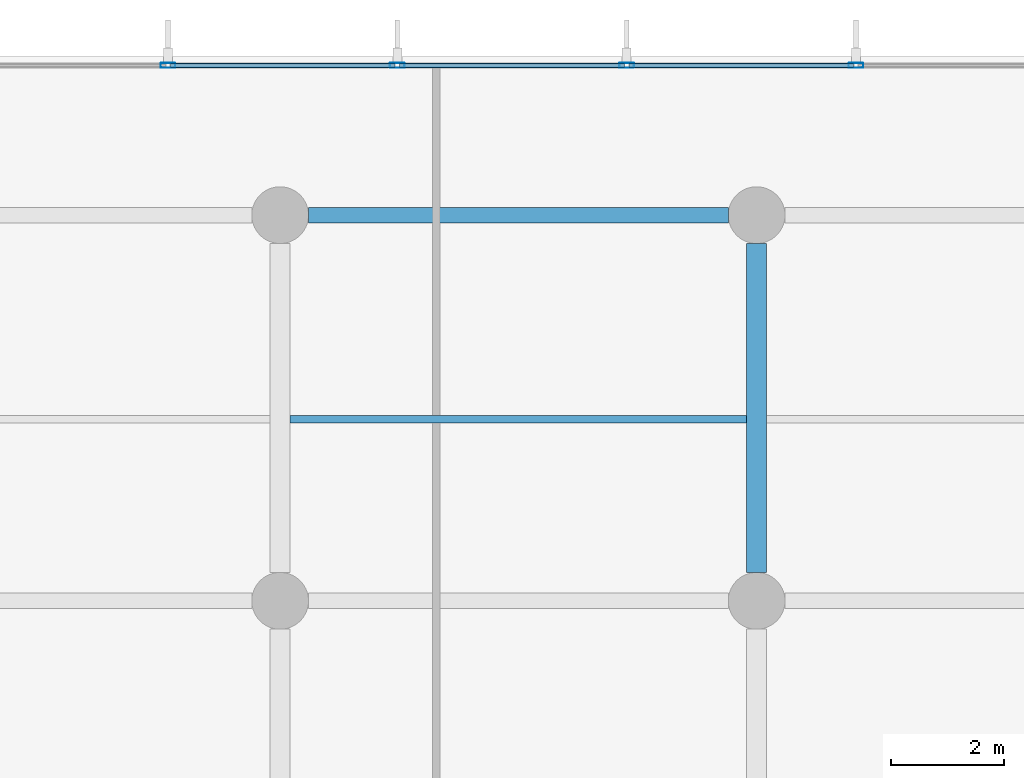
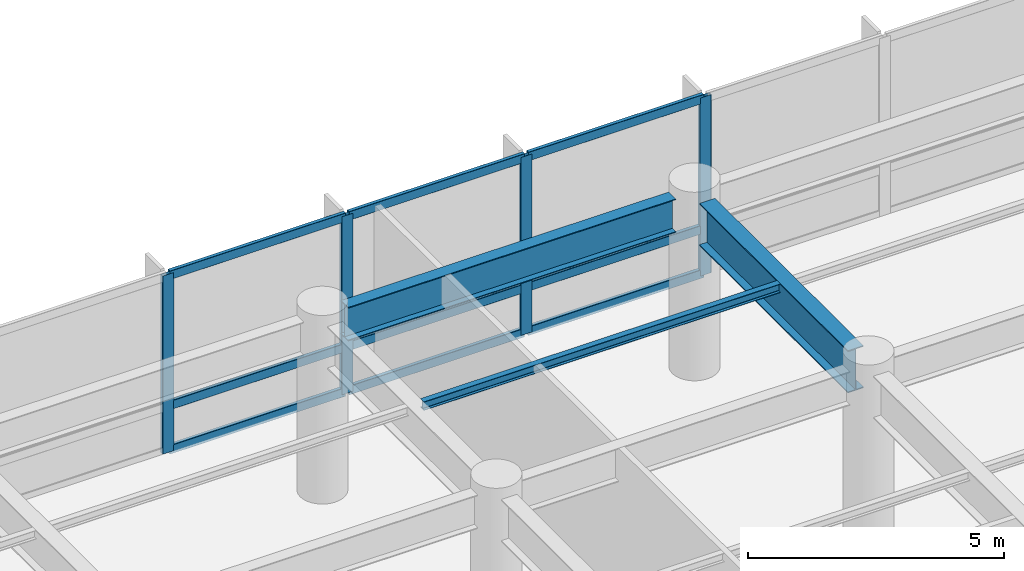
# One storey, part 11 of 26: 13 members, 3 beams, 1 element without a shape of its own.
"""IFC4 building model written with IfcOpenShell, lengths in metres."""

import ifcopenshell
import ifcopenshell.guid

model = None  # the IFC model being written
_history = None  # IfcOwnerHistory: only IFC2X3 demands one
_inside = {}  # id of a spatial element -> (the spatial element, [elements in it])
_under = {}  # id of a project, library or spatial element -> (it, [spatial elements below it])
_declared = {}  # id of a project -> (the project, [libraries it declares])
_typed = {}  # id of a type object -> (the type object, [elements of that type])
_made_of = {}  # id of a material, layer set ... -> (it, [elements and type objects made of it])


def new_model(schema):
    """Start an empty IFC model of exactly this schema.

    Asked for "IFC4X3", IfcOpenShell would pick the latest addendum, in which some entities
    have other attributes; the version numbers below select the first issue.
    IFC2X3 requires an IfcOwnerHistory on every rooted entity: one is made here for all.
    """
    global model, _history
    if schema == "IFC4X3":
        model = ifcopenshell.file(schema_version=(4, 3, 0, 0))
    else:
        model = ifcopenshell.file(schema=schema)
    _inside.clear()
    _under.clear()
    _declared.clear()
    _typed.clear()
    _made_of.clear()
    _history = None
    if model.schema == "IFC2X3":
        org = make("IfcOrganization", Name="unknown")
        user = make(
            "IfcPersonAndOrganization",
            ThePerson=make("IfcPerson", FamilyName="unknown"),
            TheOrganization=org,
        )
        app = make(
            "IfcApplication",
            ApplicationDeveloper=org,
            Version="unknown",
            ApplicationFullName="unknown",
            ApplicationIdentifier="unknown",
        )
        _history = make(
            "IfcOwnerHistory",
            OwningUser=user,
            OwningApplication=app,
            ChangeAction="ADDED",
            CreationDate=0,
        )
    return model


def make(cls, **values):
    """One entity of the class cls with the attributes given. An attribute that is None is left unset."""
    return model.create_entity(
        cls, **{name: value for name, value in values.items() if value is not None}
    )


def rooted(cls, **values):
    """An entity with a GlobalId (a new one), such as an element, a storey or a relation."""
    return make(cls, GlobalId=ifcopenshell.guid.new(), OwnerHistory=_history, **values)


def si_unit(unit_type, name, prefix=None):
    """IfcSIUnit, for example si_unit("LENGTHUNIT", "METRE", prefix="MILLI")."""
    return make("IfcSIUnit", UnitType=unit_type, Prefix=prefix, Name=name)


def assignment(units):
    """IfcUnitAssignment: the units of a project."""
    return None if units is None else make("IfcUnitAssignment", Units=units)


def point(xyz):
    """IfcCartesianPoint."""
    return None if xyz is None else make("IfcCartesianPoint", Coordinates=xyz)


def direction(xyz):
    """IfcDirection."""
    return None if xyz is None else make("IfcDirection", DirectionRatios=xyz)


def frame(location, z_axis=None, x_axis=None):
    """IfcAxis2Placement3D, a coordinate frame: its origin and axes. An axis left out is left unset."""
    return make(
        "IfcAxis2Placement3D",
        Location=point(location),
        Axis=direction(z_axis),
        RefDirection=direction(x_axis),
    )


def frame_2d(location, x_axis=None):
    """IfcAxis2Placement2D, a coordinate frame in the plane: its origin and x axis."""
    return make(
        "IfcAxis2Placement2D", Location=point(location), RefDirection=direction(x_axis)
    )


def origin():
    """The frame at (0, 0, 0) with its axes left unset."""
    return frame((0.0, 0.0, 0.0))


def origin_2d():
    """The frame at (0, 0) in the plane with its x axis left unset."""
    return frame_2d((0.0, 0.0))


def place(relative_to, where):
    """IfcLocalPlacement: puts the frame where relative to a parent placement (None: the world)."""
    return make(
        "IfcLocalPlacement", PlacementRelTo=relative_to, RelativePlacement=where
    )


def context(
    kind, dimensions, precision=None, world=None, true_north=None, identifier=None
):
    """IfcGeometricRepresentationContext, for example the 3D "Model" context."""
    return make(
        "IfcGeometricRepresentationContext",
        ContextIdentifier=identifier,
        ContextType=kind,
        CoordinateSpaceDimension=dimensions,
        Precision=precision,
        WorldCoordinateSystem=world,
        TrueNorth=true_north,
    )


def subcontext(parent, identifier, kind, view, scale=None):
    """IfcGeometricRepresentationSubContext, for example "Body" below "Model"."""
    return make(
        "IfcGeometricRepresentationSubContext",
        ContextIdentifier=identifier,
        ContextType=kind,
        ParentContext=parent,
        TargetScale=scale,
        TargetView=view,
    )


def project(units=None, contexts=None):
    """IfcProject with its units and contexts."""
    return rooted(
        "IfcProject",
        Name="project",
        RepresentationContexts=contexts,
        UnitsInContext=assignment(units),
    )


def spatial(cls, under=None, at=None, **own):
    """A site, building, storey or space (cls), placed at a placement, below another one or the project."""
    s = rooted(cls, ObjectPlacement=at, **own)
    if under is not None:
        _under.setdefault(under.id(), (under, []))[1].append(s)
    return s


def profile(cls, at=None, kind="AREA", **sizes):
    """A parametric profile (cls). Its sizes go by their IFC names, for example OverallWidth=200.0."""
    return make(cls, ProfileType=kind, Position=at, **sizes)


def hollow_rectangle(**sizes):
    """IfcRectangleHollowProfileDef."""
    return profile("IfcRectangleHollowProfileDef", **sizes)


def i_section(**sizes):
    """IfcIShapeProfileDef."""
    return profile("IfcIShapeProfileDef", **sizes)


def extrude(swept, where, along, depth):
    """IfcExtrudedAreaSolid: the profile swept, set in the frame where, extruded along a direction by depth."""
    return make(
        "IfcExtrudedAreaSolid",
        SweptArea=swept,
        Position=where,
        ExtrudedDirection=direction(along),
        Depth=depth,
    )


def shape(context_of_items, identifier, shape_type, items):
    """IfcShapeRepresentation: the items that make up one representation, for example the "Body"."""
    return make(
        "IfcShapeRepresentation",
        ContextOfItems=context_of_items,
        RepresentationIdentifier=identifier,
        RepresentationType=shape_type,
        Items=items,
    )


def material(Name=None, Category=None):
    """IfcMaterial."""
    return make("IfcMaterial", Name=Name, Category=Category)


def layer(
    of_material, thickness, ventilated=None, Name=None, Category=None, Priority=None
):
    """IfcMaterialLayer: one layer of a wall or slab, of a material (None: an air gap)."""
    return make(
        "IfcMaterialLayer",
        Material=of_material,
        LayerThickness=thickness,
        IsVentilated=ventilated,
        Name=Name,
        Category=Category,
        Priority=Priority,
    )


def layer_set(layers, Name=None):
    """IfcMaterialLayerSet."""
    return make("IfcMaterialLayerSet", MaterialLayers=layers, LayerSetName=Name)


def material_profile(
    of_material, cross_section, Name=None, Category=None, Priority=None
):
    """IfcMaterialProfile: a cross section and its material."""
    return make(
        "IfcMaterialProfile",
        Name=Name,
        Material=of_material,
        Profile=cross_section,
        Priority=Priority,
        Category=Category,
    )


def profile_set(profiles, Name=None, composite=None):
    """IfcMaterialProfileSet."""
    return make(
        "IfcMaterialProfileSet",
        Name=Name,
        MaterialProfiles=profiles,
        CompositeProfile=composite,
    )


def made_of(thing, what):
    """Note that an element or type object is made of a material, layer set ...; save() writes the relation."""
    if what is not None:
        _made_of.setdefault(what.id(), (what, []))[1].append(thing)
    return thing


def type_object(cls, material=None, **own):
    """A type object (cls), such as IfcWallType, which elements share."""
    return made_of(rooted(cls, **own), material)


def element(
    cls,
    number,
    at=None,
    inside=None,
    cuts=None,
    type_object=None,
    material=None,
    context=None,
    identifier="Body",
    shape_type=None,
    held_by="IfcProductDefinitionShape",
    body=None,
    shapes=None,
    **own,
):
    """One element of the class cls, such as IfcWall. Its Tag is "e" and its number.

    at: its placement. inside: the storey or other place that contains it. cuts: it is an
    opening in that element (IfcRelVoidsElement). A single representation is given by context,
    identifier, shape_type and body (its items); several are given by shapes. held_by: the class
    of the entity that holds the representations. save() writes the other relations.
    """
    e = rooted(cls, Tag="e%d" % number, ObjectPlacement=at, **own)
    if body is not None:
        shapes = [shape(context, identifier, shape_type, body)]
    if shapes is not None:
        e.Representation = make(held_by, Representations=shapes)
    if inside is not None:
        _inside.setdefault(inside.id(), (inside, []))[1].append(e)
    if cuts is not None:
        rooted(
            "IfcRelVoidsElement", RelatingBuildingElement=cuts, RelatedOpeningElement=e
        )
    if type_object is not None:
        _typed.setdefault(type_object.id(), (type_object, []))[1].append(e)
    return made_of(e, material)


def aggregate(whole, parts):
    """IfcRelAggregates: a whole, such as a stair, and the parts it consists of."""
    return rooted("IfcRelAggregates", RelatingObject=whole, RelatedObjects=parts)


def save(model, path):
    """Write the relations noted so far, then the file.

    IfcRelAggregates (storeys below a building ...), IfcRelContainedInSpatialStructure (elements
    in a storey), IfcRelDefinesByType, IfcRelAssociatesMaterial and IfcRelDeclares: one each for
    every whole, place, type object, material and project.
    """
    for whole, parts in _under.values():
        aggregate(whole, parts)
    for where, things in _inside.values():
        rooted(
            "IfcRelContainedInSpatialStructure",
            RelatedElements=things,
            RelatingStructure=where,
        )
    for kind, things in _typed.values():
        rooted("IfcRelDefinesByType", RelatedObjects=things, RelatingType=kind)
    for what, things in _made_of.values():
        rooted("IfcRelAssociatesMaterial", RelatedObjects=things, RelatingMaterial=what)
    for by, libraries in _declared.values():
        rooted("IfcRelDeclares", RelatingContext=by, RelatedDefinitions=libraries)
    model.write(path)


model = new_model("IFC4")

# Units and contexts
model_context = context("Model", 3, precision=1e-05, world=origin(), true_north=direction((0.0, 1.0)))
body_context = subcontext(model_context, "Body", "Model", "MODEL_VIEW")
ifc_project = project(units=[si_unit("LENGTHUNIT", "METRE"), si_unit("AREAUNIT", "SQUARE_METRE"), si_unit("VOLUMEUNIT", "CUBIC_METRE"), si_unit("PLANEANGLEUNIT", "RADIAN"), si_unit("MASSUNIT", "GRAM", prefix="KILO")], contexts=[model_context])

# Site, building, storey
site_placement = place(None, origin())
site = spatial("IfcSite", under=ifc_project, at=site_placement, CompositionType="ELEMENT")
building_placement = place(site_placement, origin())
building = spatial("IfcBuilding", under=site, at=building_placement, Name="Varnakote Quay Hospital", CompositionType="ELEMENT")
storey_placement = place(building_placement, frame((0.0, 0.0, 13.5)))
storey = spatial("IfcBuildingStorey", under=building, at=storey_placement, Name="L03", CompositionType="ELEMENT", Elevation=13.5)

# Beams
ifc_material_1 = material(Name="Structural steel AS/NZS 3678 Grade 350 (fy 340 MPa)", Category="steel")
ifc_material_profile_1 = material_profile(ifc_material_1, i_section(OverallWidth=0.35009765625, OverallDepth=1.010009765625, WebThickness=0.01611328125, FlangeThickness=0.02490234375, at=origin_2d()), Name="1000WB258")
ifc_profile_set_1 = profile_set([ifc_material_profile_1], Name="Structural steel AS/NZS 3678 Grade 350 (fy 340 MPa)")
beam_type_1 = type_object("IfcBeamType", Name="BM-STL-1000WB258", PredefinedType="BEAM", material=ifc_profile_set_1)
beam_1_placement = place(storey_placement, frame((75.60009765625, 37.699951171875, 3.7451171875), z_axis=(0.0, 1.0, 0.0), x_axis=(-1.0, 0.0, 0.0)))
element("IfcBeam", 1, at=beam_1_placement, inside=storey, type_object=beam_type_1, Name="L03 Primary Tie Beam", PredefinedType="BEAM", context=body_context, shape_type="SweptSolid", body=[
    extrude(i_section(OverallWidth=0.35009765625, OverallDepth=1.010009765625, WebThickness=0.01611328125, FlangeThickness=0.02490234375, at=origin_2d()), origin(), (0.0, 0.0, 1.0), 5.800048828125),
])
ifc_material_2 = material(Name="Structural steel AS/NZS 3678 Grade 350 (fy 340 MPa)", Category="steel")
ifc_material_profile_2 = material_profile(ifc_material_2, i_section(OverallWidth=0.27490234375, OverallDepth=0.800048828125, WebThickness=0.010009765625, FlangeThickness=0.02001953125, at=origin_2d()), Name="800WB146")
ifc_profile_set_2 = profile_set([ifc_material_profile_2], Name="Structural steel AS/NZS 3678 Grade 350 (fy 340 MPa)")
beam_type_2 = type_object("IfcBeamType", Name="BM-STL-800WB146", PredefinedType="BEAM", material=ifc_profile_set_2)
beam_2_placement = place(storey_placement, frame((67.699951171875, 44.0, 3.85009765625), z_axis=(1.0, 0.0, 0.0), x_axis=(0.0, 1.0, 0.0)))
element("IfcBeam", 2, at=beam_2_placement, inside=storey, type_object=beam_type_2, Name="L03 Primary Floor Beam", PredefinedType="BEAM", context=body_context, shape_type="SweptSolid", body=[
    extrude(i_section(OverallWidth=0.27490234375, OverallDepth=0.800048828125, WebThickness=0.010009765625, FlangeThickness=0.02001953125, at=origin_2d()), origin(), (0.0, 0.0, 1.0), 7.400146484375),
])

# Curtain wall, members
ifc_material_3 = material(Name="Anodised aluminium 6063-T6 Bronze", Category="aluminium")
ifc_layer = layer(ifc_material_3, 0.175048828125)
ifc_layer_set = layer_set([ifc_layer], Name="Anodised aluminium 6063-T6 Bronze")
curtain_wall_type = type_object("IfcCurtainWallType", Name="CW-SYS-1", PredefinedType="NOTDEFINED", material=ifc_layer_set)
curtain_wall_placement = place(storey_placement, origin())
curtain_wall = element("IfcCurtainWall", 3, at=curtain_wall_placement, inside=storey, type_object=curtain_wall_type, Name="L03 Unitised Bronze Curtain Wall 2", PredefinedType="NOTDEFINED")
ifc_material_4 = material(Name="Anodised aluminium 6063-T6 Bronze", Category="aluminium")
ifc_material_profile_3 = material_profile(ifc_material_4, hollow_rectangle(XDim=0.0849609375, YDim=0.260009765625, WallThickness=0.0048828125, InnerFilletRadius=0.0048828125, OuterFilletRadius=0.010009765625, at=origin_2d()), Name="CW-MULL-260x85")
ifc_profile_set_3 = profile_set([ifc_material_profile_3], Name="Anodised aluminium 6063-T6 Bronze")
member_type_1 = type_object("IfcMemberType", Name="CW-MULL-260x85", PredefinedType="MULLION", material=ifc_profile_set_3)
member_1_placement = place(storey_placement, frame((77.35302734375, 46.639892578125, 0.0), z_axis=(0.0, 0.0, 1.0), x_axis=(0.0, -1.0, 0.0)))
member_1 = element("IfcMember", 4, at=member_1_placement, type_object=member_type_1, Name="-1-L03-2 mullion 3", PredefinedType="MULLION", context=body_context, shape_type="SweptSolid", body=[
    extrude(hollow_rectangle(XDim=0.0849609375, YDim=0.260009765625, WallThickness=0.0048828125, InnerFilletRadius=0.0048828125, OuterFilletRadius=0.010009765625, at=origin_2d()), origin(), (0.0, 0.0, 1.0), 4.25),
])
member_2_placement = place(storey_placement, frame((73.3095703125, 46.639892578125, 0.0), z_axis=(0.0, 0.0, 1.0), x_axis=(0.0, -1.0, 0.0)))
member_2 = element("IfcMember", 5, at=member_2_placement, type_object=member_type_1, Name="-1-L03-2 mullion 4", PredefinedType="MULLION", context=body_context, shape_type="SweptSolid", body=[
    extrude(hollow_rectangle(XDim=0.0849609375, YDim=0.260009765625, WallThickness=0.0048828125, InnerFilletRadius=0.0048828125, OuterFilletRadius=0.010009765625, at=origin_2d()), origin(), (0.0, 0.0, 1.0), 4.25),
])
member_3_placement = place(storey_placement, frame((69.265869140625, 46.639892578125, 0.0), z_axis=(0.0, 0.0, 1.0), x_axis=(0.0, -1.0, 0.0)))
member_3 = element("IfcMember", 6, at=member_3_placement, type_object=member_type_1, Name="-1-L03-2 mullion 5", PredefinedType="MULLION", context=body_context, shape_type="SweptSolid", body=[
    extrude(hollow_rectangle(XDim=0.0849609375, YDim=0.260009765625, WallThickness=0.0048828125, InnerFilletRadius=0.0048828125, OuterFilletRadius=0.010009765625, at=origin_2d()), origin(), (0.0, 0.0, 1.0), 4.25),
])
member_4_placement = place(storey_placement, frame((65.222412109375, 46.639892578125, 0.0), z_axis=(0.0, 0.0, 1.0), x_axis=(0.0, -1.0, 0.0)))
member_4 = element("IfcMember", 7, at=member_4_placement, type_object=member_type_1, Name="-1-L03-2 mullion 6", PredefinedType="MULLION", context=body_context, shape_type="SweptSolid", body=[
    extrude(hollow_rectangle(XDim=0.0849609375, YDim=0.260009765625, WallThickness=0.0048828125, InnerFilletRadius=0.0048828125, OuterFilletRadius=0.010009765625, at=origin_2d()), origin(), (0.0, 0.0, 1.0), 4.25),
])
ifc_material_5 = material(Name="Anodised aluminium 6063-T6 Bronze", Category="aluminium")
ifc_material_profile_4 = material_profile(ifc_material_5, hollow_rectangle(XDim=0.0849609375, YDim=0.2099609375, WallThickness=0.00439453125, InnerFilletRadius=0.00439453125, OuterFilletRadius=0.009033203125, at=origin_2d()), Name="CW-TRAN-210x85")
ifc_profile_set_4 = profile_set([ifc_material_profile_4], Name="Anodised aluminium 6063-T6 Bronze")
member_type_2 = type_object("IfcMemberType", Name="CW-TRAN-210x85", PredefinedType="USERDEFINED", material=ifc_profile_set_4)
member_5_placement = place(storey_placement, frame((77.310546875, 46.639892578125, 0.04248046875), z_axis=(-1.0, 0.0, 0.0), x_axis=(0.0, -1.0, 0.0)))
member_5 = element("IfcMember", 8, at=member_5_placement, type_object=member_type_2, Name="-1-L03-2 transom 3.1", ObjectType="TRANSOM", PredefinedType="USERDEFINED", context=body_context, shape_type="SweptSolid", body=[
    extrude(hollow_rectangle(XDim=0.0849609375, YDim=0.2099609375, WallThickness=0.00439453125, InnerFilletRadius=0.00439453125, OuterFilletRadius=0.009033203125, at=origin_2d()), origin(), (0.0, 0.0, 1.0), 3.95849609375),
])
member_6_placement = place(storey_placement, frame((77.310546875, 46.639892578125, 1.10009765625), z_axis=(-1.0, 0.0, 0.0), x_axis=(0.0, -1.0, 0.0)))
member_6 = element("IfcMember", 9, at=member_6_placement, type_object=member_type_2, Name="-1-L03-2 transom 3.2", ObjectType="TRANSOM", PredefinedType="USERDEFINED", context=body_context, shape_type="SweptSolid", body=[
    extrude(hollow_rectangle(XDim=0.0849609375, YDim=0.2099609375, WallThickness=0.00439453125, InnerFilletRadius=0.00439453125, OuterFilletRadius=0.009033203125, at=origin_2d()), origin(), (0.0, 0.0, 1.0), 3.95849609375),
])
member_7_placement = place(storey_placement, frame((77.310546875, 46.639892578125, 4.20751953125), z_axis=(-1.0, 0.0, 0.0), x_axis=(0.0, -1.0, 0.0)))
member_7 = element("IfcMember", 10, at=member_7_placement, type_object=member_type_2, Name="-1-L03-2 transom 3.3", ObjectType="TRANSOM", PredefinedType="USERDEFINED", context=body_context, shape_type="SweptSolid", body=[
    extrude(hollow_rectangle(XDim=0.0849609375, YDim=0.2099609375, WallThickness=0.00439453125, InnerFilletRadius=0.00439453125, OuterFilletRadius=0.009033203125, at=origin_2d()), origin(), (0.0, 0.0, 1.0), 3.95849609375),
])
member_8_placement = place(storey_placement, frame((73.266845703125, 46.639892578125, 0.04248046875), z_axis=(-1.0, 0.0, 0.0), x_axis=(0.0, -1.0, 0.0)))
member_8 = element("IfcMember", 11, at=member_8_placement, type_object=member_type_2, Name="-1-L03-2 transom 4.1", ObjectType="TRANSOM", PredefinedType="USERDEFINED", context=body_context, shape_type="SweptSolid", body=[
    extrude(hollow_rectangle(XDim=0.0849609375, YDim=0.2099609375, WallThickness=0.00439453125, InnerFilletRadius=0.00439453125, OuterFilletRadius=0.009033203125, at=origin_2d()), origin(), (0.0, 0.0, 1.0), 3.95849609375),
])
member_9_placement = place(storey_placement, frame((73.266845703125, 46.639892578125, 1.10009765625), z_axis=(-1.0, 0.0, 0.0), x_axis=(0.0, -1.0, 0.0)))
member_9 = element("IfcMember", 12, at=member_9_placement, type_object=member_type_2, Name="-1-L03-2 transom 4.2", ObjectType="TRANSOM", PredefinedType="USERDEFINED", context=body_context, shape_type="SweptSolid", body=[
    extrude(hollow_rectangle(XDim=0.0849609375, YDim=0.2099609375, WallThickness=0.00439453125, InnerFilletRadius=0.00439453125, OuterFilletRadius=0.009033203125, at=origin_2d()), origin(), (0.0, 0.0, 1.0), 3.95849609375),
])
member_10_placement = place(storey_placement, frame((73.266845703125, 46.639892578125, 4.20751953125), z_axis=(-1.0, 0.0, 0.0), x_axis=(0.0, -1.0, 0.0)))
member_10 = element("IfcMember", 13, at=member_10_placement, type_object=member_type_2, Name="-1-L03-2 transom 4.3", ObjectType="TRANSOM", PredefinedType="USERDEFINED", context=body_context, shape_type="SweptSolid", body=[
    extrude(hollow_rectangle(XDim=0.0849609375, YDim=0.2099609375, WallThickness=0.00439453125, InnerFilletRadius=0.00439453125, OuterFilletRadius=0.009033203125, at=origin_2d()), origin(), (0.0, 0.0, 1.0), 3.95849609375),
])
member_11_placement = place(storey_placement, frame((69.223388671875, 46.639892578125, 0.04248046875), z_axis=(-1.0, 0.0, 0.0), x_axis=(0.0, -1.0, 0.0)))
member_11 = element("IfcMember", 14, at=member_11_placement, type_object=member_type_2, Name="-1-L03-2 transom 5.1", ObjectType="TRANSOM", PredefinedType="USERDEFINED", context=body_context, shape_type="SweptSolid", body=[
    extrude(hollow_rectangle(XDim=0.0849609375, YDim=0.2099609375, WallThickness=0.00439453125, InnerFilletRadius=0.00439453125, OuterFilletRadius=0.009033203125, at=origin_2d()), origin(), (0.0, 0.0, 1.0), 3.95849609375),
])
member_12_placement = place(storey_placement, frame((69.223388671875, 46.639892578125, 1.10009765625), z_axis=(-1.0, 0.0, 0.0), x_axis=(0.0, -1.0, 0.0)))
member_12 = element("IfcMember", 15, at=member_12_placement, type_object=member_type_2, Name="-1-L03-2 transom 5.2", ObjectType="TRANSOM", PredefinedType="USERDEFINED", context=body_context, shape_type="SweptSolid", body=[
    extrude(hollow_rectangle(XDim=0.0849609375, YDim=0.2099609375, WallThickness=0.00439453125, InnerFilletRadius=0.00439453125, OuterFilletRadius=0.009033203125, at=origin_2d()), origin(), (0.0, 0.0, 1.0), 3.95849609375),
])
member_13_placement = place(storey_placement, frame((69.223388671875, 46.639892578125, 4.20751953125), z_axis=(-1.0, 0.0, 0.0), x_axis=(0.0, -1.0, 0.0)))
member_13 = element("IfcMember", 16, at=member_13_placement, type_object=member_type_2, Name="-1-L03-2 transom 5.3", ObjectType="TRANSOM", PredefinedType="USERDEFINED", context=body_context, shape_type="SweptSolid", body=[
    extrude(hollow_rectangle(XDim=0.0849609375, YDim=0.2099609375, WallThickness=0.00439453125, InnerFilletRadius=0.00439453125, OuterFilletRadius=0.009033203125, at=origin_2d()), origin(), (0.0, 0.0, 1.0), 3.95849609375),
])
aggregate(curtain_wall, [member_1, member_2, member_3, member_4, member_5, member_6, member_7, member_8, member_9, member_10, member_11, member_12, member_13])

# Beam
ifc_material_6 = material(Name="Structural steel AS/NZS 3679.1 Grade 350 L0 (fy 340 MPa)", Category="steel")
ifc_material_profile_5 = material_profile(ifc_material_6, i_section(OverallWidth=0.134033203125, OverallDepth=0.20703125, WebThickness=0.00634765625, FlangeThickness=0.009521484375, FilletRadius=0.0087890625, at=origin_2d()), Name="200UB29.8")
ifc_profile_set_5 = profile_set([ifc_material_profile_5], Name="Structural steel AS/NZS 3679.1 Grade 350 L0 (fy 340 MPa)")
beam_type_3 = type_object("IfcBeamType", Name="JST-STL-200UB29-8", PredefinedType="JOIST", material=ifc_profile_set_5)
beam_3_placement = place(storey_placement, frame((67.375, 40.39990234375, 4.146484375), z_axis=(1.0, 0.0, 0.0), x_axis=(0.0, 1.0, 0.0)))
element("IfcBeam", 17, at=beam_3_placement, inside=storey, type_object=beam_type_3, Name="L03 Composite Floor Joist", PredefinedType="JOIST", context=body_context, shape_type="SweptSolid", body=[
    extrude(i_section(OverallWidth=0.134033203125, OverallDepth=0.20703125, WebThickness=0.00634765625, FlangeThickness=0.009521484375, FilletRadius=0.0087890625, at=origin_2d()), origin(), (0.0, 0.0, 1.0), 8.050048828125),
])

save(model, "model.ifc")
